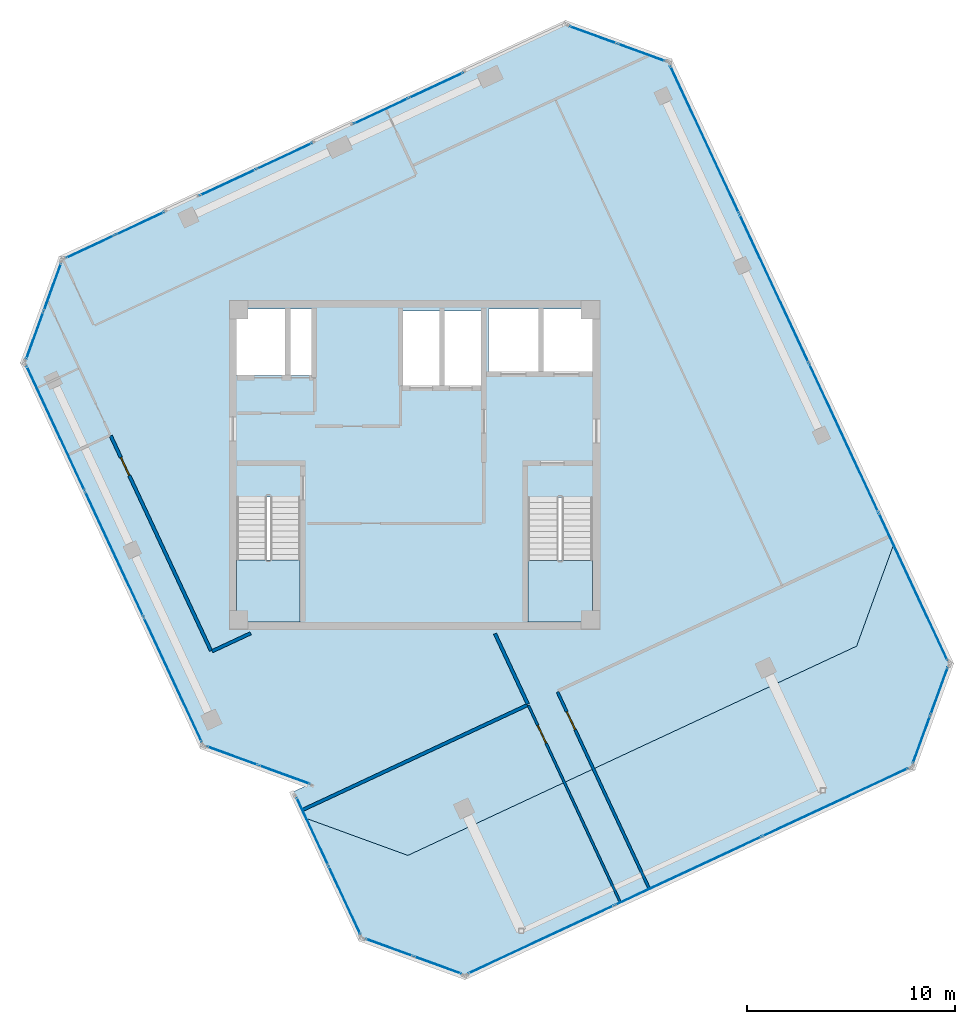
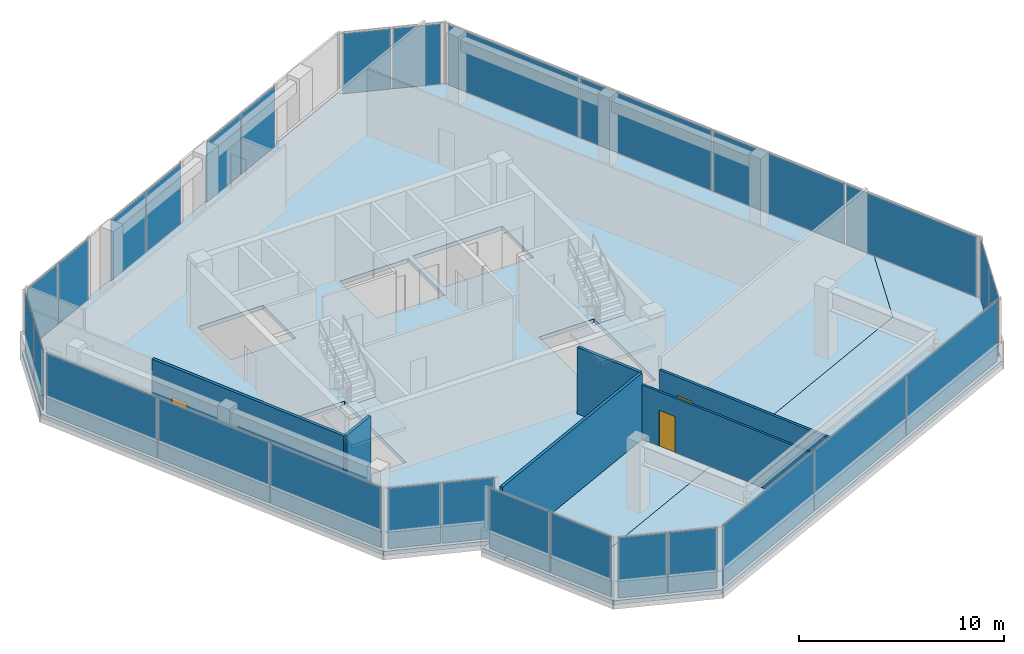
# One storey, part 12 of 17: 28 plates, 6 walls, 4 slabs, 3 doors, 3 openings, 14 elements without a shape of their own.
"""IFC4 building model written with IfcOpenShell, lengths in metres."""

from ifc_helpers import new_model, si_unit, direction, frame, frame_2d, origin, origin_2d, place, context, subcontext, project, spatial, polyline, rectangle, outline, extrude, source, transform, mapped, material, layer, layer_set, type_object, element, fill, aggregate, save


model = new_model("IFC4")

# Units and contexts
model_context = context("Model", 3, precision=1e-05, world=origin(), true_north=direction((0.0, 1.0)))
body_context = subcontext(model_context, "Body", "Model", "MODEL_VIEW")
ifc_project = project(units=[si_unit("LENGTHUNIT", "METRE"), si_unit("AREAUNIT", "SQUARE_METRE"), si_unit("VOLUMEUNIT", "CUBIC_METRE"), si_unit("PLANEANGLEUNIT", "RADIAN"), si_unit("MASSUNIT", "GRAM", prefix="KILO")], contexts=[model_context])

# Site, building, storey
site_placement = place(None, origin())
site = spatial("IfcSite", under=ifc_project, at=site_placement, CompositionType="ELEMENT")
building_placement = place(site_placement, origin())
building = spatial("IfcBuilding", under=site, at=building_placement, Name="Torre Montelarca", CompositionType="ELEMENT")
storey_placement = place(building_placement, frame((0.0, 0.0, 340.800048828125)))
storey = spatial("IfcBuildingStorey", under=building, at=storey_placement, Name="L77", CompositionType="ELEMENT", Elevation=340.800048828125)

# Slabs
ifc_material_1 = material(Name="Concrete C40/50", Category="concrete")
ifc_layer_1 = layer(ifc_material_1, 0.239990234375, Name="Concrete C40/50", Category="concrete")
ifc_layer_set_1 = layer_set([ifc_layer_1], Name="Concrete C40/50")
slab_type_1 = type_object("IfcSlabType", Name="SL-FLR-240", PredefinedType="FLOOR", material=ifc_layer_set_1)
slab_1_placement = place(storey_placement, frame((0.0, 0.0, -0.239990234375)))
element("IfcSlab", 1, at=slab_1_placement, inside=storey, type_object=slab_type_1, Name="L77 Structural Floor Slab", PredefinedType="FLOOR", context=body_context, shape_type="SweptSolid", body=[
    extrude(outline(polyline([(7.752197265625, 18.417236328125), (12.802001953125, 16.579345703125), (12.0771484375, 16.2412109375), (12.62646484375, 15.06298828125), (17.676513671875, 13.22509765625), (39.24658203125, 23.283203125), (41.084716796875, 28.333251953125), (30.307861328125, 51.444091796875), (25.2578125, 53.281982421875), (0.96875, 41.955810546875), (-0.869140625, 36.906005859375), (7.752197265625, 18.417236328125)]), holes=[polyline([(26.550048828125, 24.449951171875), (23.43994140625, 24.449951171875), (23.43994140625, 30.429931640625), (26.550048828125, 30.429931640625), (26.550048828125, 24.449951171875)]), polyline([(12.5, 24.449951171875), (9.449951171875, 24.449951171875), (9.449951171875, 30.4599609375), (12.5, 30.4599609375), (12.5, 24.449951171875)]), polyline([(21.25, 39.39990234375), (21.25, 35.800048828125), (17.39990234375, 35.800048828125), (17.39990234375, 39.39990234375), (21.25, 39.39990234375)]), polyline([(13.1201171875, 36.300048828125), (9.449951171875, 36.300048828125), (9.449951171875, 39.5), (13.1201171875, 39.5), (13.1201171875, 36.300048828125)]), polyline([(26.60009765625, 36.449951171875), (21.550048828125, 36.449951171875), (21.550048828125, 39.5), (26.60009765625, 39.5), (26.60009765625, 36.449951171875)])]), origin(), (0.0, 0.0, 1.0), 0.239990234375),
])
slab_2_placement = place(storey_placement, frame((0.0, 0.0, -0.239990234375)))
element("IfcSlab", 2, at=slab_2_placement, inside=storey, type_object=slab_type_1, Name="L77 Sliding Tray Winter Garden Floor Slab SKY1", PredefinedType="FLOOR", context=body_context, shape_type="SweptSolid", body=[
    extrude(outline(polyline([(41.084716796875, 28.333251953125), (39.24658203125, 23.283203125), (17.676513671875, 13.22509765625), (12.62646484375, 15.06298828125), (15.37353515625, 9.172119140625), (20.42333984375, 7.333984375), (41.99365234375, 17.392333984375), (43.83154296875, 22.442138671875), (41.084716796875, 28.333251953125)])), origin(), (0.0, 0.0, 1.0), 0.239990234375),
])

# Stair, slab
stair_type_1 = type_object("IfcStairType", Name="ST-CORE-ST1", PredefinedType="HALF_TURN_STAIR", material=ifc_material_1)
stair_1_placement = place(storey_placement, origin())
stair_1 = element("IfcStair", 3, at=stair_1_placement, inside=storey, type_object=stair_type_1, Name="L77 Protected Exit Stair ST1", PredefinedType="HALF_TURN_STAIR")
ifc_layer_2 = layer(ifc_material_1, 0.199951171875, Name="Concrete C40/50", Category="concrete")
ifc_layer_set_2 = layer_set([ifc_layer_2], Name="Concrete C40/50")
slab_type_2 = type_object("IfcSlabType", Name="SL-ST-LAND-ST1", PredefinedType="LANDING", material=ifc_layer_set_2)
slab_3_placement = place(storey_placement, frame((0.0, 0.0, 1.89990234375)))
slab_3 = element("IfcSlab", 4, at=slab_3_placement, type_object=slab_type_2, Name="ST1 landing 1", PredefinedType="LANDING", context=body_context, shape_type="SweptSolid", body=[
    extrude(outline(polyline([(9.449951171875, 27.419921875), (9.449951171875, 24.449951171875), (12.5, 24.449951171875), (12.5, 27.419921875), (9.449951171875, 27.419921875)])), origin(), (0.0, 0.0, 1.0), 0.199951171875),
])
aggregate(stair_1, [slab_3])

stair_type_2 = type_object("IfcStairType", Name="ST-CORE-ST2", PredefinedType="HALF_TURN_STAIR", material=ifc_material_1)
stair_2_placement = place(storey_placement, origin())
stair_2 = element("IfcStair", 5, at=stair_2_placement, inside=storey, type_object=stair_type_2, Name="L77 Protected Exit Stair ST2", PredefinedType="HALF_TURN_STAIR")
ifc_layer_3 = layer(ifc_material_1, 0.199951171875, Name="Concrete C40/50", Category="concrete")
ifc_layer_set_3 = layer_set([ifc_layer_3], Name="Concrete C40/50")
slab_type_3 = type_object("IfcSlabType", Name="SL-ST-LAND-ST2", PredefinedType="LANDING", material=ifc_layer_set_3)
slab_4_placement = place(storey_placement, frame((0.0, 0.0, 1.89990234375)))
slab_4 = element("IfcSlab", 6, at=slab_4_placement, type_object=slab_type_3, Name="ST2 landing 1", PredefinedType="LANDING", context=body_context, shape_type="SweptSolid", body=[
    extrude(outline(polyline([(23.43994140625, 27.389892578125), (23.43994140625, 24.449951171875), (26.550048828125, 24.449951171875), (26.550048828125, 27.389892578125), (23.43994140625, 27.389892578125)])), origin(), (0.0, 0.0, 1.0), 0.199951171875),
])
aggregate(stair_2, [slab_4])

# Curtain wall, plates
ifc_material_2 = material(Name="Insulated low-E laminated glass", Category="glass")
curtain_wall_type = type_object("IfcCurtainWallType", Name="CW-SYS-Z4", PredefinedType="USERDEFINED", material=ifc_material_2)
curtain_wall_1_placement = place(storey_placement, origin())
curtain_wall_1 = element("IfcCurtainWall", 7, at=curtain_wall_1_placement, inside=storey, type_object=curtain_wall_type, Name="L77 Curtain Wall Run CW-T3-L77-E02-B1", ObjectType="UNITISED GLAZING", PredefinedType="USERDEFINED")
ifc_layer_4 = layer(ifc_material_2, 0.035888671875, Name="Insulated low-E laminated glass", Category="glass")
ifc_layer_set_4 = layer_set([ifc_layer_4], Name="Insulated low-E laminated glass")
plate_type = type_object("IfcPlateType", Name="CWP-GLZ-36", PredefinedType="CURTAIN_PANEL", material=ifc_layer_set_4)
shared_shape_1 = source(origin(), body_context, "Body", "SweptSolid", [
    extrude(rectangle(XDim=2.592529296875, YDim=0.035888671875, at=origin_2d()), origin(), (0.0, 0.0, 1.0), 3.590087890625),
])
plate_1_placement = place(storey_placement, frame((9.2412109375, 18.013671875, 0.06494140625), z_axis=(0.0, 0.0, 1.0), x_axis=(0.939691378116, -0.342023557513, 0.0)))
plate_1 = element("IfcPlate", 8, at=plate_1_placement, type_object=plate_type, Name="CW panel 1.1", PredefinedType="CURTAIN_PANEL", context=body_context, shape_type="MappedRepresentation", body=[
    mapped(shared_shape_1, transform((0.0, 0.0, 0.0), scale=1.0)),
])
plate_2_placement = place(storey_placement, frame((11.747802734375, 17.101318359375, 0.06494140625), z_axis=(0.0, 0.0, 1.0), x_axis=(0.939691378116, -0.342023557513, 0.0)))
plate_2 = element("IfcPlate", 9, at=plate_2_placement, type_object=plate_type, Name="CW panel 2.1", PredefinedType="CURTAIN_PANEL", context=body_context, shape_type="MappedRepresentation", body=[
    mapped(shared_shape_1, transform((0.0, 0.0, 0.0), scale=1.0)),
])
aggregate(curtain_wall_1, [plate_1, plate_2])

curtain_wall_2_placement = place(storey_placement, origin())
curtain_wall_2 = element("IfcCurtainWall", 10, at=curtain_wall_2_placement, inside=storey, type_object=curtain_wall_type, Name="L77 Curtain Wall Run CW-T3-L77-E05-B1", ObjectType="UNITISED GLAZING", PredefinedType="USERDEFINED")
shared_shape_2 = source(origin(), body_context, "Body", "SweptSolid", [
    extrude(rectangle(XDim=2.40869140625, YDim=0.035888671875, at=origin_2d()), origin(), (0.0, 0.0, 1.0), 3.590087890625),
])
plate_3_placement = place(storey_placement, frame((16.776123046875, 8.7998046875, 0.06494140625), z_axis=(0.0, 0.0, 1.0), x_axis=(0.939694365175, -0.342015350618, 0.0)))
plate_3 = element("IfcPlate", 11, at=plate_3_placement, type_object=plate_type, Name="CW panel 1.1", PredefinedType="CURTAIN_PANEL", context=body_context, shape_type="MappedRepresentation", body=[
    mapped(shared_shape_2, transform((0.0, 0.0, 0.0), scale=1.0)),
])
plate_4_placement = place(storey_placement, frame((19.10986328125, 7.950439453125, 0.06494140625), z_axis=(0.0, 0.0, 1.0), x_axis=(0.939694365175, -0.342015350618, 0.0)))
plate_4 = element("IfcPlate", 12, at=plate_4_placement, type_object=plate_type, Name="CW panel 2.1", PredefinedType="CURTAIN_PANEL", context=body_context, shape_type="MappedRepresentation", body=[
    mapped(shared_shape_2, transform((0.0, 0.0, 0.0), scale=1.0)),
])
aggregate(curtain_wall_2, [plate_3, plate_4])

curtain_wall_3_placement = place(storey_placement, origin())
curtain_wall_3 = element("IfcCurtainWall", 13, at=curtain_wall_3_placement, inside=storey, type_object=curtain_wall_type, Name="L77 Curtain Wall Run CW-T3-L77-E07-B1", ObjectType="UNITISED GLAZING", PredefinedType="USERDEFINED")
plate_5_placement = place(storey_placement, frame((42.36572265625, 18.794921875, 0.06494140625), z_axis=(0.0, 0.0, 1.0), x_axis=(0.342015350618, 0.939694365175, 0.0)))
plate_5 = element("IfcPlate", 14, at=plate_5_placement, type_object=plate_type, Name="CW panel 1.1", PredefinedType="CURTAIN_PANEL", context=body_context, shape_type="MappedRepresentation", body=[
    mapped(shared_shape_2, transform((0.0, 0.0, 0.0), scale=1.0)),
])
plate_6_placement = place(storey_placement, frame((43.215087890625, 21.128662109375, 0.06494140625), z_axis=(0.0, 0.0, 1.0), x_axis=(0.342015350618, 0.939694365175, 0.0)))
plate_6 = element("IfcPlate", 15, at=plate_6_placement, type_object=plate_type, Name="CW panel 2.1", PredefinedType="CURTAIN_PANEL", context=body_context, shape_type="MappedRepresentation", body=[
    mapped(shared_shape_2, transform((0.0, 0.0, 0.0), scale=1.0)),
])
aggregate(curtain_wall_3, [plate_5, plate_6])

curtain_wall_4_placement = place(storey_placement, origin())
curtain_wall_4 = element("IfcCurtainWall", 16, at=curtain_wall_4_placement, inside=storey, type_object=curtain_wall_type, Name="L77 Curtain Wall Run CW-T3-L77-E09-B1", ObjectType="UNITISED GLAZING", PredefinedType="USERDEFINED")
plate_7_placement = place(storey_placement, frame((28.9052734375, 51.816162109375, 0.06494140625), z_axis=(0.0, 0.0, 1.0), x_axis=(-0.939694365175, 0.342015350618, 0.0)))
plate_7 = element("IfcPlate", 17, at=plate_7_placement, type_object=plate_type, Name="CW panel 1.1", PredefinedType="CURTAIN_PANEL", context=body_context, shape_type="MappedRepresentation", body=[
    mapped(shared_shape_2, transform((0.0, 0.0, 0.0), scale=1.0)),
])
plate_8_placement = place(storey_placement, frame((26.571533203125, 52.665771484375, 0.06494140625), z_axis=(0.0, 0.0, 1.0), x_axis=(-0.939694365175, 0.342015350618, 0.0)))
plate_8 = element("IfcPlate", 18, at=plate_8_placement, type_object=plate_type, Name="CW panel 2.1", PredefinedType="CURTAIN_PANEL", context=body_context, shape_type="MappedRepresentation", body=[
    mapped(shared_shape_2, transform((0.0, 0.0, 0.0), scale=1.0)),
])
aggregate(curtain_wall_4, [plate_7, plate_8])

curtain_wall_5_placement = place(storey_placement, origin())
curtain_wall_5 = element("IfcCurtainWall", 19, at=curtain_wall_5_placement, inside=storey, type_object=curtain_wall_type, Name="L77 Curtain Wall Run CW-T3-L77-E11-B1", ObjectType="UNITISED GLAZING", PredefinedType="USERDEFINED")
plate_9_placement = place(storey_placement, frame((0.5966796875, 40.553466796875, 0.06494140625), z_axis=(0.0, 0.0, 1.0), x_axis=(-0.342015350618, -0.939694365175, 0.0)))
plate_9 = element("IfcPlate", 20, at=plate_9_placement, type_object=plate_type, Name="CW panel 1.1", PredefinedType="CURTAIN_PANEL", context=body_context, shape_type="MappedRepresentation", body=[
    mapped(shared_shape_2, transform((0.0, 0.0, 0.0), scale=1.0)),
])
plate_10_placement = place(storey_placement, frame((-0.252685546875, 38.219482421875, 0.06494140625), z_axis=(0.0, 0.0, 1.0), x_axis=(-0.342015350618, -0.939694365175, 0.0)))
plate_10 = element("IfcPlate", 21, at=plate_10_placement, type_object=plate_type, Name="CW panel 2.1", PredefinedType="CURTAIN_PANEL", context=body_context, shape_type="MappedRepresentation", body=[
    mapped(shared_shape_2, transform((0.0, 0.0, 0.0), scale=1.0)),
])
aggregate(curtain_wall_5, [plate_9, plate_10])

curtain_wall_6_placement = place(storey_placement, origin())
curtain_wall_6 = element("IfcCurtainWall", 22, at=curtain_wall_6_placement, inside=storey, type_object=curtain_wall_type, Name="L77 Curtain Wall Run CW-T3-L77-E10-B1", ObjectType="UNITISED GLAZING", PredefinedType="USERDEFINED")
shared_shape_3 = source(origin(), body_context, "Body", "SweptSolid", [
    extrude(rectangle(XDim=2.857421875, YDim=0.035888671875, at=origin_2d()), origin(), (0.0, 0.0, 1.0), 3.590087890625),
])
plate_11_placement = place(storey_placement, frame((19.028564453125, 50.23388671875, 0.06494140625), z_axis=(0.0, 0.0, 1.0), x_axis=(-0.9063091184, -0.422615406611, 0.0)))
plate_11 = element("IfcPlate", 23, at=plate_11_placement, type_object=plate_type, Name="CW panel 1.1", PredefinedType="CURTAIN_PANEL", context=body_context, shape_type="MappedRepresentation", body=[
    mapped(shared_shape_3, transform((0.0, 0.0, 0.0), scale=1.0)),
])
plate_12_placement = place(storey_placement, frame((16.370849609375, 48.99462890625, 0.06494140625), z_axis=(0.0, 0.0, 1.0), x_axis=(-0.9063091184, -0.422615406611, 0.0)))
plate_12 = element("IfcPlate", 24, at=plate_12_placement, type_object=plate_type, Name="CW panel 2.1", PredefinedType="CURTAIN_PANEL", context=body_context, shape_type="MappedRepresentation", body=[
    mapped(shared_shape_3, transform((0.0, 0.0, 0.0), scale=1.0)),
])
aggregate(curtain_wall_6, [plate_11, plate_12])

curtain_wall_7_placement = place(storey_placement, origin())
curtain_wall_7 = element("IfcCurtainWall", 25, at=curtain_wall_7_placement, inside=storey, type_object=curtain_wall_type, Name="L77 Curtain Wall Run CW-T3-L77-E06-B1", ObjectType="UNITISED GLAZING", PredefinedType="USERDEFINED")
shared_shape_4 = source(origin(), body_context, "Body", "SweptSolid", [
    extrude(rectangle(XDim=7.710205078125, YDim=0.035888671875, at=origin_2d()), origin(), (0.0, 0.0, 1.0), 3.590087890625),
])
plate_13_placement = place(storey_placement, frame((24.080810546875, 9.182861328125, 0.06494140625), z_axis=(0.0, 0.0, 1.0), x_axis=(0.906310681773, 0.422612053903, 0.0)))
plate_13 = element("IfcPlate", 26, at=plate_13_placement, type_object=plate_type, Name="CW panel 1.1", PredefinedType="CURTAIN_PANEL", context=body_context, shape_type="MappedRepresentation", body=[
    mapped(shared_shape_4, transform((0.0, 0.0, 0.0), scale=1.0)),
])
plate_14_placement = place(storey_placement, frame((38.2265625, 15.779052734375, 0.06494140625), z_axis=(0.0, 0.0, 1.0), x_axis=(0.906310681773, 0.422612053903, 0.0)))
plate_14 = element("IfcPlate", 27, at=plate_14_placement, type_object=plate_type, Name="CW panel 3.1", PredefinedType="CURTAIN_PANEL", context=body_context, shape_type="MappedRepresentation", body=[
    mapped(shared_shape_4, transform((0.0, 0.0, 0.0), scale=1.0)),
])
shared_shape_5 = source(origin(), body_context, "Body", "SweptSolid", [
    extrude(rectangle(XDim=7.747802734375, YDim=0.035888671875, at=origin_2d()), origin(), (0.0, 0.0, 1.0), 3.590087890625),
])
plate_15_placement = place(storey_placement, frame((31.153564453125, 12.48095703125, 0.06494140625), z_axis=(0.0, 0.0, 1.0), x_axis=(0.906310681773, 0.422612053903, 0.0)))
plate_15 = element("IfcPlate", 28, at=plate_15_placement, type_object=plate_type, Name="CW panel 2.1", PredefinedType="CURTAIN_PANEL", context=body_context, shape_type="MappedRepresentation", body=[
    mapped(shared_shape_5, transform((0.0, 0.0, 0.0), scale=1.0)),
])
aggregate(curtain_wall_7, [plate_13, plate_15, plate_14])

curtain_wall_8_placement = place(storey_placement, origin())
curtain_wall_8 = element("IfcCurtainWall", 29, at=curtain_wall_8_placement, inside=storey, type_object=curtain_wall_type, Name="L77 Curtain Wall Run CW-T3-L77-E01-B1", ObjectType="UNITISED GLAZING", PredefinedType="USERDEFINED")
shared_shape_6 = source(origin(), body_context, "Body", "SweptSolid", [
    extrude(rectangle(XDim=6.576904296875, YDim=0.035888671875, at=origin_2d()), origin(), (0.0, 0.0, 1.0), 3.590087890625),
])
plate_16_placement = place(storey_placement, frame((0.740234375, 33.76220703125, 0.06494140625), z_axis=(0.0, 0.0, 1.0), x_axis=(0.422612109251, -0.906310655964, 0.0)))
plate_16 = element("IfcPlate", 30, at=plate_16_placement, type_object=plate_type, Name="CW panel 1.1", PredefinedType="CURTAIN_PANEL", context=body_context, shape_type="MappedRepresentation", body=[
    mapped(shared_shape_6, transform((0.0, 0.0, 0.0), scale=1.0)),
])
plate_17_placement = place(storey_placement, frame((6.37841796875, 21.6708984375, 0.06494140625), z_axis=(0.0, 0.0, 1.0), x_axis=(0.422612109251, -0.906310655964, 0.0)))
plate_17 = element("IfcPlate", 31, at=plate_17_placement, type_object=plate_type, Name="CW panel 3.1", PredefinedType="CURTAIN_PANEL", context=body_context, shape_type="MappedRepresentation", body=[
    mapped(shared_shape_6, transform((0.0, 0.0, 0.0), scale=1.0)),
])
shared_shape_7 = source(origin(), body_context, "Body", "SweptSolid", [
    extrude(rectangle(XDim=6.614501953125, YDim=0.035888671875, at=origin_2d()), origin(), (0.0, 0.0, 1.0), 3.590087890625),
])
plate_18_placement = place(storey_placement, frame((3.559326171875, 27.716552734375, 0.06494140625), z_axis=(0.0, 0.0, 1.0), x_axis=(0.422612109251, -0.906310655964, 0.0)))
plate_18 = element("IfcPlate", 32, at=plate_18_placement, type_object=plate_type, Name="CW panel 2.1", PredefinedType="CURTAIN_PANEL", context=body_context, shape_type="MappedRepresentation", body=[
    mapped(shared_shape_7, transform((0.0, 0.0, 0.0), scale=1.0)),
])
aggregate(curtain_wall_8, [plate_16, plate_18, plate_17])

curtain_wall_9_placement = place(storey_placement, origin())
curtain_wall_9 = element("IfcCurtainWall", 33, at=curtain_wall_9_placement, inside=storey, type_object=curtain_wall_type, Name="L77 Curtain Wall Run CW-T3-L77-E04-B1", ObjectType="UNITISED GLAZING", PredefinedType="USERDEFINED")
shared_shape_8 = source(origin(), body_context, "Body", "SweptSolid", [
    extrude(rectangle(XDim=3.58349609375, YDim=0.035888671875, at=origin_2d()), origin(), (0.0, 0.0, 1.0), 3.590087890625),
])
plate_19_placement = place(storey_placement, frame((13.086181640625, 14.385009765625, 0.06494140625), z_axis=(0.0, 0.0, 1.0), x_axis=(0.422598839793, -0.906316843386, 0.0)))
plate_19 = element("IfcPlate", 34, at=plate_19_placement, type_object=plate_type, Name="CW panel 1.1", PredefinedType="CURTAIN_PANEL", context=body_context, shape_type="MappedRepresentation", body=[
    mapped(shared_shape_8, transform((0.0, 0.0, 0.0), scale=1.0)),
])
plate_20_placement = place(storey_placement, frame((14.63232421875, 11.069091796875, 0.06494140625), z_axis=(0.0, 0.0, 1.0), x_axis=(0.422598839793, -0.906316843386, 0.0)))
plate_20 = element("IfcPlate", 35, at=plate_20_placement, type_object=plate_type, Name="CW panel 2.1", PredefinedType="CURTAIN_PANEL", context=body_context, shape_type="MappedRepresentation", body=[
    mapped(shared_shape_8, transform((0.0, 0.0, 0.0), scale=1.0)),
])
aggregate(curtain_wall_9, [plate_19, plate_20])

curtain_wall_10_placement = place(storey_placement, origin())
curtain_wall_10 = element("IfcCurtainWall", 36, at=curtain_wall_10_placement, inside=storey, type_object=curtain_wall_type, Name="L77 Curtain Wall Run CW-T3-L77-E08-B1", ObjectType="UNITISED GLAZING", PredefinedType="USERDEFINED")
shared_shape_9 = source(origin(), body_context, "Body", "SweptSolid", [
    extrude(rectangle(XDim=7.8046875, YDim=0.035888671875, at=origin_2d()), origin(), (0.0, 0.0, 1.0), 3.590087890625),
])
plate_21_placement = place(storey_placement, frame((41.962646484375, 26.142333984375, 0.06494140625), z_axis=(0.0, 0.0, 1.0), x_axis=(-0.422614734533, 0.906309431792, 0.0)))
plate_21 = element("IfcPlate", 37, at=plate_21_placement, type_object=plate_type, Name="CW panel 1.1", PredefinedType="CURTAIN_PANEL", context=body_context, shape_type="MappedRepresentation", body=[
    mapped(shared_shape_9, transform((0.0, 0.0, 0.0), scale=1.0)),
])
plate_22_placement = place(storey_placement, frame((31.94091796875, 47.63427734375, 0.06494140625), z_axis=(0.0, 0.0, 1.0), x_axis=(-0.422614734533, 0.906309431792, 0.0)))
plate_22 = element("IfcPlate", 38, at=plate_22_placement, type_object=plate_type, Name="CW panel 4.1", PredefinedType="CURTAIN_PANEL", context=body_context, shape_type="MappedRepresentation", body=[
    mapped(shared_shape_9, transform((0.0, 0.0, 0.0), scale=1.0)),
])
shared_shape_10 = source(origin(), body_context, "Body", "SweptSolid", [
    extrude(rectangle(XDim=7.842041015625, YDim=0.035888671875, at=origin_2d()), origin(), (0.0, 0.0, 1.0), 3.590087890625),
])
plate_23_placement = place(storey_placement, frame((38.624755859375, 33.300537109375, 0.06494140625), z_axis=(0.0, 0.0, 1.0), x_axis=(-0.422614734533, 0.906309431792, 0.0)))
plate_23 = element("IfcPlate", 39, at=plate_23_placement, type_object=plate_type, Name="CW panel 2.1", PredefinedType="CURTAIN_PANEL", context=body_context, shape_type="MappedRepresentation", body=[
    mapped(shared_shape_10, transform((0.0, 0.0, 0.0), scale=1.0)),
])
plate_24_placement = place(storey_placement, frame((35.27880859375, 40.475830078125, 0.06494140625), z_axis=(0.0, 0.0, 1.0), x_axis=(-0.422614734533, 0.906309431792, 0.0)))
plate_24 = element("IfcPlate", 40, at=plate_24_placement, type_object=plate_type, Name="CW panel 3.1", PredefinedType="CURTAIN_PANEL", context=body_context, shape_type="MappedRepresentation", body=[
    mapped(shared_shape_10, transform((0.0, 0.0, 0.0), scale=1.0)),
])
aggregate(curtain_wall_10, [plate_21, plate_23, plate_24, plate_22])

curtain_wall_11_placement = place(storey_placement, origin())
curtain_wall_11 = element("IfcCurtainWall", 41, at=curtain_wall_11_placement, inside=storey, type_object=curtain_wall_type, Name="L77 Curtain Wall Run CW-T3-L77-E10-B2", ObjectType="UNITISED GLAZING", PredefinedType="USERDEFINED")
shared_shape_11 = source(origin(), body_context, "Body", "SweptSolid", [
    extrude(rectangle(XDim=2.9326171875, YDim=0.035888671875, at=origin_2d()), origin(), (0.0, 0.0, 1.0), 3.590087890625),
])
plate_25_placement = place(storey_placement, frame((11.744140625, 46.837158203125, 0.06494140625), z_axis=(0.0, 0.0, 1.0), x_axis=(-0.906303918318, -0.422626558135, 0.0)))
plate_25 = element("IfcPlate", 42, at=plate_25_placement, type_object=plate_type, Name="CW panel 1.1", PredefinedType="CURTAIN_PANEL", context=body_context, shape_type="MappedRepresentation", body=[
    mapped(shared_shape_11, transform((0.0, 0.0, 0.0), scale=1.0)),
])
plate_26_placement = place(storey_placement, frame((9.0185546875, 45.566162109375, 0.06494140625), z_axis=(0.0, 0.0, 1.0), x_axis=(-0.906303918318, -0.422626558135, 0.0)))
plate_26 = element("IfcPlate", 43, at=plate_26_placement, type_object=plate_type, Name="CW panel 2.1", PredefinedType="CURTAIN_PANEL", context=body_context, shape_type="MappedRepresentation", body=[
    mapped(shared_shape_11, transform((0.0, 0.0, 0.0), scale=1.0)),
])
aggregate(curtain_wall_11, [plate_25, plate_26])

curtain_wall_12_placement = place(storey_placement, origin())
curtain_wall_12 = element("IfcCurtainWall", 44, at=curtain_wall_12_placement, inside=storey, type_object=curtain_wall_type, Name="L77 Curtain Wall Run CW-T3-L77-E10-B3", ObjectType="UNITISED GLAZING", PredefinedType="USERDEFINED")
shared_shape_12 = source(origin(), body_context, "Body", "SweptSolid", [
    extrude(rectangle(XDim=2.564697265625, YDim=0.035888671875, at=origin_2d()), origin(), (0.0, 0.0, 1.0), 3.590087890625),
])
plate_27_placement = place(storey_placement, frame((4.79638671875, 43.597412109375, 0.06494140625), z_axis=(0.0, 0.0, 1.0), x_axis=(-0.90631526548, -0.422602223796, 0.0)))
plate_27 = element("IfcPlate", 45, at=plate_27_placement, type_object=plate_type, Name="CW panel 1.1", PredefinedType="CURTAIN_PANEL", context=body_context, shape_type="MappedRepresentation", body=[
    mapped(shared_shape_12, transform((0.0, 0.0, 0.0), scale=1.0)),
])
plate_28_placement = place(storey_placement, frame((2.404052734375, 42.481689453125, 0.06494140625), z_axis=(0.0, 0.0, 1.0), x_axis=(-0.90631526548, -0.422602223796, 0.0)))
plate_28 = element("IfcPlate", 46, at=plate_28_placement, type_object=plate_type, Name="CW panel 2.1", PredefinedType="CURTAIN_PANEL", context=body_context, shape_type="MappedRepresentation", body=[
    mapped(shared_shape_12, transform((0.0, 0.0, 0.0), scale=1.0)),
])
aggregate(curtain_wall_12, [plate_27, plate_28])

# Wall, opening, door
ifc_material_3 = material(Name="Gypsum plasterboard on steel stud", Category="steel")
ifc_layer_5 = layer(ifc_material_3, 0.159912109375, Name="Gypsum plasterboard on steel stud", Category="steel")
ifc_layer_set_5 = layer_set([ifc_layer_5], Name="Gypsum plasterboard on steel stud")
wall_type_1 = type_object("IfcWallType", Name="PW-FIRE-160", PredefinedType="PARTITIONING", material=ifc_layer_set_5)
wall_1_placement = place(storey_placement, frame((3.396728515625, 33.389404296875, 0.0), z_axis=(0.0, 0.0, 1.0), x_axis=(0.422624000171, -0.90630511114, 0.0)))
wall_1 = element("IfcWall", 47, at=wall_1_placement, inside=storey, type_object=wall_type_1, Name="L77 Interior Partition W-L77-SOCCN", PredefinedType="PARTITIONING", context=body_context, shape_type="SweptSolid", body=[
    extrude(rectangle(XDim=11.39990234375, YDim=0.159912109375, at=frame_2d((5.699951171875, 0.0))), origin(), (0.0, 0.0, 1.0), 3.9599609375),
])
opening_1_placement = place(wall_1_placement, frame((1.14990234375, 0.0, 0.0)))
opening_1 = element("IfcOpeningElement", 48, at=opening_1_placement, cuts=wall_1, Name="Opening FD-095", PredefinedType="OPENING", context=body_context, shape_type="SweptSolid", body=[
    extrude(rectangle(XDim=0.949951171875, YDim=2.14990234375, at=frame_2d((0.47509765625, 1.074951171875))), frame((0.0, 0.08984375, 0.0), z_axis=(0.0, -1.0, 0.0), x_axis=(1.0, 0.0, 0.0)), (0.0, 0.0, 1.0), 0.179931640625),
])
ifc_material_4 = material(Name="Timber fire-rated room door", Category="wood")
door_type_1 = type_object("IfcDoorType", Name="DR-FIRE-095", OperationType="NOTDEFINED", PredefinedType="DOOR", material=ifc_material_4)
shared_shape_13 = source(origin(), body_context, "Body", "SweptSolid", [
    extrude(rectangle(XDim=0.949951171875, YDim=2.14990234375, at=frame_2d((0.47509765625, 1.074951171875))), frame((0.0, 0.02490234375, 0.0), z_axis=(0.0, -1.0, 0.0), x_axis=(1.0, 0.0, 0.0)), (0.0, 0.0, 1.0), 0.050048828125),
])
door_1_placement = place(opening_1_placement, origin())
door_1 = element("IfcDoor", 49, at=door_1_placement, inside=storey, type_object=door_type_1, Name="L77 Interior Door 06", OperationType="SINGLE_SWING_RIGHT", OverallHeight=2.14990234375, OverallWidth=0.949951171875, PredefinedType="DOOR", context=body_context, shape_type="MappedRepresentation", body=[
    mapped(shared_shape_13, transform((0.0, 0.0, 0.0), scale=1.0)),
])
fill(opening_1, door_1)

# Walls
wall_2_placement = place(storey_placement, frame((8.267578125, 23.0380859375, 0.0), z_axis=(0.0, 0.0, 1.0), x_axis=(0.906308042279, 0.422617714371, 0.0)))
element("IfcWall", 50, at=wall_2_placement, inside=storey, type_object=wall_type_1, Name="L77 Interior Partition W-L77-SOCCW3", PredefinedType="PARTITIONING", context=body_context, shape_type="SweptSolid", body=[
    extrude(rectangle(XDim=2.046630859375, YDim=0.159912109375, at=frame_2d((1.0234375, 0.0))), origin(), (0.0, 0.0, 1.0), 3.9599609375),
])
wall_3_placement = place(storey_placement, frame((21.8642578125, 23.8837890625, 0.0), z_axis=(0.0, 0.0, 1.0), x_axis=(0.42259522887, -0.906318527085, 0.0)))
element("IfcWall", 51, at=wall_3_placement, inside=storey, type_object=wall_type_1, Name="L77 Interior Partition W-L77-SOCCN3", PredefinedType="PARTITIONING", context=body_context, shape_type="SweptSolid", body=[
    extrude(rectangle(XDim=3.730224609375, YDim=0.159912109375, at=frame_2d((1.865234375, 0.0))), origin(), (0.0, 0.0, 1.0), 3.9599609375),
])
wall_4_placement = place(storey_placement, frame((12.654296875, 15.42919921875, 0.0), z_axis=(0.0, 0.0, 1.0), x_axis=(0.906316447934, 0.42259968789, 0.0)))
element("IfcWall", 52, at=wall_4_placement, inside=storey, type_object=wall_type_1, Name="L77 Interior Partition W-L77-ECS", PredefinedType="PARTITIONING", context=body_context, shape_type="SweptSolid", body=[
    extrude(rectangle(XDim=11.880126953125, YDim=0.159912109375, at=frame_2d((5.93994140625, 0.0))), origin(), (0.0, 0.0, 1.0), 3.9599609375),
])

# Wall, opening, door
ifc_layer_6 = layer(ifc_material_3, 0.114990234375, Name="Gypsum plasterboard on steel stud", Category="steel")
ifc_layer_set_6 = layer_set([ifc_layer_6], Name="Gypsum plasterboard on steel stud")
wall_type_2 = type_object("IfcWallType", Name="PW-PART-115", PredefinedType="PARTITIONING", material=ifc_layer_set_6)
wall_5_placement = place(storey_placement, frame((23.474609375, 20.430419921875, 0.0), z_axis=(0.0, 0.0, 1.0), x_axis=(0.422603997267, -0.906314438533, 0.0)))
wall_5 = element("IfcWall", 53, at=wall_5_placement, inside=storey, type_object=wall_type_2, Name="L77 Interior Partition W-L77-SE-N", PredefinedType="PARTITIONING", context=body_context, shape_type="SweptSolid", body=[
    extrude(rectangle(XDim=10.39990234375, YDim=0.114990234375, at=frame_2d((5.199951171875, 0.0))), origin(), (0.0, 0.0, 1.0), 3.25244140625),
])
opening_2_placement = place(wall_5_placement, frame((1.050048828125, 0.0, 0.0)))
opening_2 = element("IfcOpeningElement", 54, at=opening_2_placement, cuts=wall_5, Name="Opening ID-095", PredefinedType="OPENING", context=body_context, shape_type="SweptSolid", body=[
    extrude(rectangle(XDim=0.949951171875, YDim=2.14990234375, at=frame_2d((0.47509765625, 1.074951171875))), frame((0.0, 0.0673828125, 0.0), z_axis=(0.0, -1.0, 0.0), x_axis=(1.0, 0.0, 0.0)), (0.0, 0.0, 1.0), 0.135009765625),
])
ifc_material_5 = material(Name="Hardwood acoustic timber veneer", Category="wood")
door_type_2 = type_object("IfcDoorType", Name="DR-INT-095", OperationType="NOTDEFINED", PredefinedType="DOOR", material=ifc_material_5)
shared_shape_14 = source(origin(), body_context, "Body", "SweptSolid", [
    extrude(rectangle(XDim=0.949951171875, YDim=2.14990234375, at=frame_2d((0.47509765625, 1.074951171875))), frame((0.0, 0.02490234375, 0.0), z_axis=(0.0, -1.0, 0.0), x_axis=(1.0, 0.0, 0.0)), (0.0, 0.0, 1.0), 0.050048828125),
])
door_2_placement = place(opening_2_placement, origin())
door_2 = element("IfcDoor", 55, at=door_2_placement, inside=storey, type_object=door_type_2, Name="L77 Interior Door 11", OperationType="SINGLE_SWING_LEFT", OverallHeight=2.14990234375, OverallWidth=0.949951171875, PredefinedType="DOOR", context=body_context, shape_type="MappedRepresentation", body=[
    mapped(shared_shape_14, transform((0.0, 0.0, 0.0), scale=1.0)),
])
fill(opening_2, door_2)

ifc_layer_7 = layer(ifc_material_3, 0.135009765625, Name="Gypsum plasterboard on steel stud", Category="steel")
ifc_layer_set_7 = layer_set([ifc_layer_7], Name="Gypsum plasterboard on steel stud")
wall_type_3 = type_object("IfcWallType", Name="PW-PART-135", PredefinedType="PARTITIONING", material=ifc_layer_set_7)
wall_6_placement = place(storey_placement, frame((24.8701171875, 21.081298828125, 0.0), z_axis=(0.0, 0.0, 1.0), x_axis=(0.422623279804, -0.906305447058, 0.0)))
wall_6 = element("IfcWall", 56, at=wall_6_placement, inside=storey, type_object=wall_type_3, Name="L77 Interior Partition W-L77-NE-S", PredefinedType="PARTITIONING", context=body_context, shape_type="SweptSolid", body=[
    extrude(rectangle(XDim=10.39990234375, YDim=0.135009765625, at=frame_2d((5.199951171875, 0.0))), origin(), (0.0, 0.0, 1.0), 3.25244140625),
])
opening_3_placement = place(wall_6_placement, frame((1.050048828125, 0.0, 0.0)))
opening_3 = element("IfcOpeningElement", 57, at=opening_3_placement, cuts=wall_6, Name="Opening ID-095", PredefinedType="OPENING", context=body_context, shape_type="SweptSolid", body=[
    extrude(rectangle(XDim=0.949951171875, YDim=2.14990234375, at=frame_2d((0.47509765625, 1.074951171875))), frame((0.0, 0.07763671875, 0.0), z_axis=(0.0, -1.0, 0.0), x_axis=(1.0, 0.0, 0.0)), (0.0, 0.0, 1.0), 0.155029296875),
])
door_3_placement = place(opening_3_placement, origin())
door_3 = element("IfcDoor", 58, at=door_3_placement, inside=storey, type_object=door_type_2, Name="L77 Interior Door 10", OperationType="SINGLE_SWING_LEFT", OverallHeight=2.14990234375, OverallWidth=0.949951171875, PredefinedType="DOOR", context=body_context, shape_type="MappedRepresentation", body=[
    mapped(shared_shape_14, transform((0.0, 0.0, 0.0), scale=1.0)),
])
fill(opening_3, door_3)

save(model, "model.ifc")
